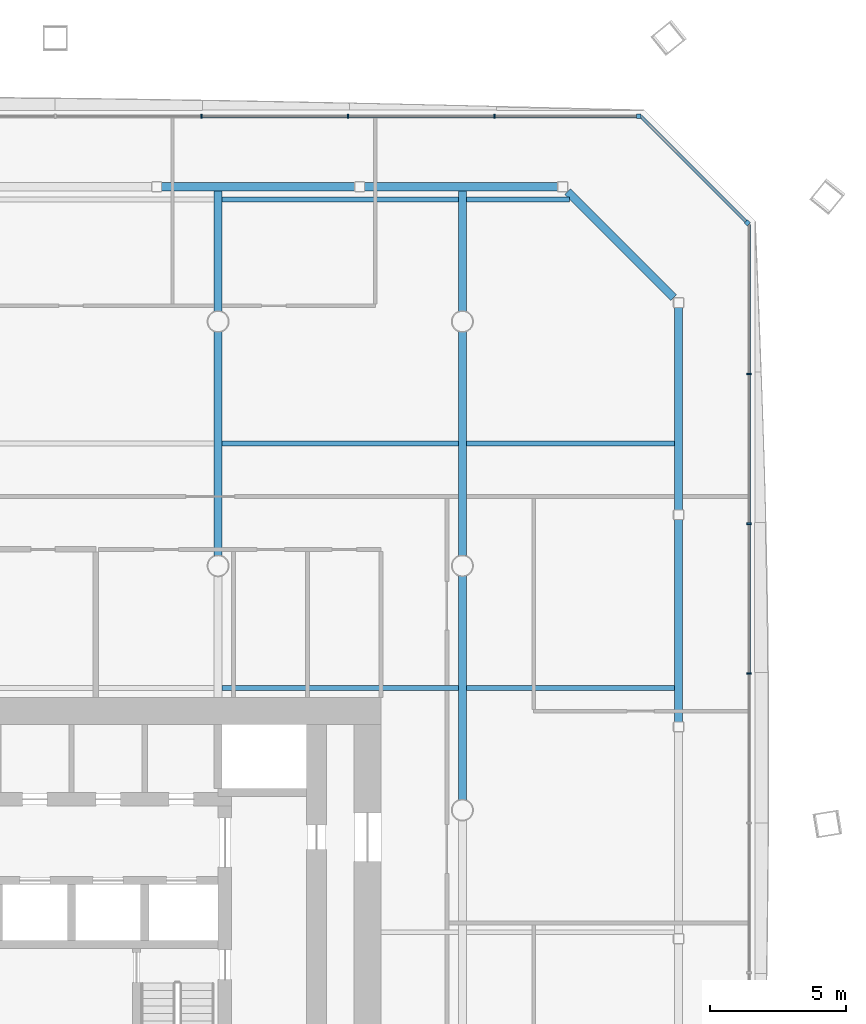
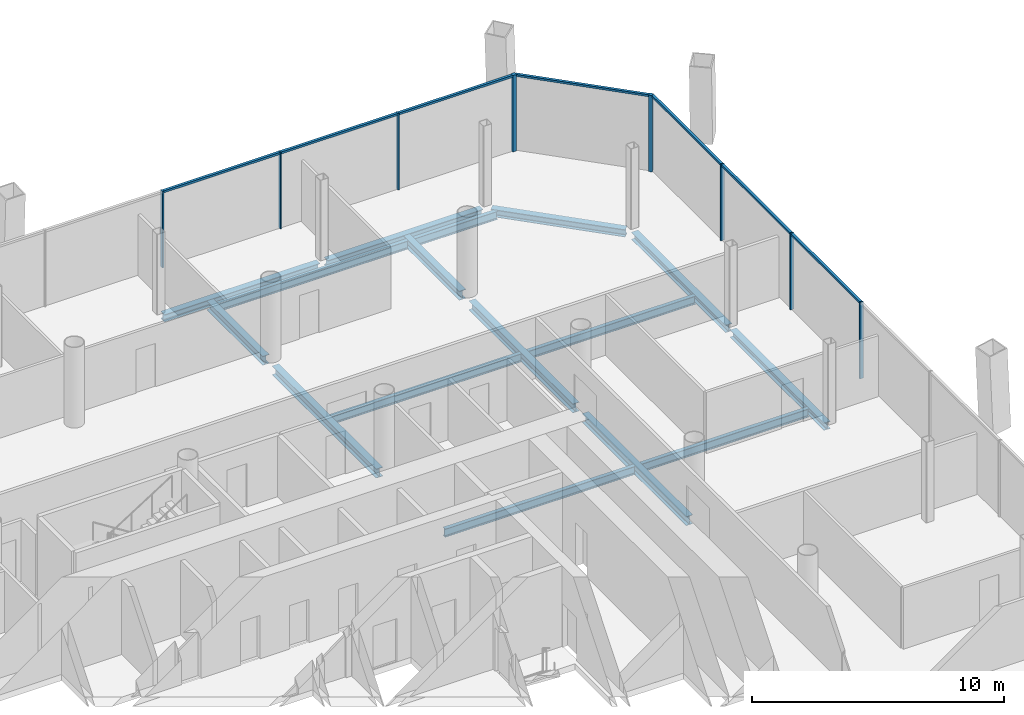
# One storey, part 10 of 20: 16 beams, 15 members, 3 elements without a shape of their own.
"""IFC4 building model written with IfcOpenShell, lengths in metres."""

from ifc_helpers import new_model, si_unit, direction, frame, origin, origin_2d, place, context, subcontext, project, spatial, rectangle, i_section, extrude, material, material_profile, profile_set, type_object, element, aggregate, save


model = new_model("IFC4")

# Units and contexts
model_context = context("Model", 3, precision=1e-05, world=origin(), true_north=direction((0.0, 1.0)))
body_context = subcontext(model_context, "Body", "Model", "MODEL_VIEW")
ifc_project = project(units=[si_unit("LENGTHUNIT", "METRE"), si_unit("AREAUNIT", "SQUARE_METRE"), si_unit("VOLUMEUNIT", "CUBIC_METRE"), si_unit("PLANEANGLEUNIT", "RADIAN"), si_unit("MASSUNIT", "GRAM", prefix="KILO")], contexts=[model_context])

# Site, building, storey
site_placement = place(None, origin())
site = spatial("IfcSite", under=ifc_project, at=site_placement, CompositionType="ELEMENT")
building_placement = place(site_placement, origin())
building = spatial("IfcBuilding", under=site, at=building_placement, Name="Tskaro Facet Tower", CompositionType="ELEMENT")
storey_placement = place(building_placement, frame((0.0, 0.0, 66.0)))
storey = spatial("IfcBuildingStorey", under=building, at=storey_placement, Name="L15", CompositionType="ELEMENT", Elevation=66.0)

# Curtain wall, member
ifc_material_1 = material(Name="Bronze anodised aluminium 6063-T6", Category="aluminium")
curtain_wall_type = type_object("IfcCurtainWallType", Name="Bronze office curtain wall (FW1)", PredefinedType="NOTDEFINED", material=ifc_material_1)
curtain_wall_1_placement = place(storey_placement, origin())
curtain_wall_1 = element("IfcCurtainWall", 1, at=curtain_wall_1_placement, inside=storey, type_object=curtain_wall_type, Name="FW1 north-east facet L15", PredefinedType="NOTDEFINED")
ifc_material_profile_1 = material_profile(ifc_material_1, rectangle(XDim=0.159912109375, YDim=0.159912109375, at=origin_2d()), Name="Corner post 160x160")
ifc_profile_set_1 = profile_set([ifc_material_profile_1], Name="Bronze anodised aluminium 6063-T6")
member_type_1 = type_object("IfcMemberType", Name="FW1 bronze corner post 160x160", PredefinedType="MULLION", material=ifc_profile_set_1)
member_1_placement = place(storey_placement, frame((28.50244140625, 21.630615234375, 0.0), z_axis=(0.0, 0.0, 1.0), x_axis=(-0.707106781187, 0.707106781187, 0.0)))
member_1 = element("IfcMember", 2, at=member_1_placement, type_object=member_type_1, Name="FW1 north-east corner post", PredefinedType="MULLION", context=body_context, shape_type="SweptSolid", body=[
    extrude(rectangle(XDim=0.159912109375, YDim=0.159912109375, at=origin_2d()), origin(), (0.0, 0.0, 1.0), 3.699951171875),
])

curtain_wall_2_placement = place(storey_placement, origin())
curtain_wall_2 = element("IfcCurtainWall", 3, at=curtain_wall_2_placement, inside=storey, type_object=curtain_wall_type, Name="FW1 north facet L15", PredefinedType="NOTDEFINED")
member_2_placement = place(storey_placement, frame((24.493896484375, 25.55908203125, 0.0), z_axis=(0.0, 0.0, 1.0), x_axis=(-1.0, 0.0, 0.0)))
member_2 = element("IfcMember", 4, at=member_2_placement, type_object=member_type_1, Name="FW1 north corner post", PredefinedType="MULLION", context=body_context, shape_type="SweptSolid", body=[
    extrude(rectangle(XDim=0.159912109375, YDim=0.159912109375, at=origin_2d()), origin(), (0.0, 0.0, 1.0), 3.699951171875),
])

# Curtain wall, members
curtain_wall_3_placement = place(storey_placement, origin())
curtain_wall_3 = element("IfcCurtainWall", 5, at=curtain_wall_3_placement, inside=storey, type_object=curtain_wall_type, Name="FW1 east facet L15", PredefinedType="NOTDEFINED")
ifc_material_profile_2 = material_profile(ifc_material_1, rectangle(XDim=0.06005859375, YDim=0.159912109375, at=origin_2d()), Name="Mullion 60x160")
ifc_profile_set_2 = profile_set([ifc_material_profile_2], Name="Bronze anodised aluminium 6063-T6")
member_type_2 = type_object("IfcMemberType", Name="FW1 bronze mullion 60x160", PredefinedType="MULLION", material=ifc_profile_set_2)
member_3_placement = place(storey_placement, frame((28.55908203125, 5.03466796875, 0.0), z_axis=(0.0, 0.0, 1.0), x_axis=(0.0, 1.0, 0.0)))
member_3 = element("IfcMember", 6, at=member_3_placement, type_object=member_type_2, Name="FW1 east mullion 5", PredefinedType="MULLION", context=body_context, shape_type="SweptSolid", body=[
    extrude(rectangle(XDim=0.06005859375, YDim=0.159912109375, at=origin_2d()), origin(), (0.0, 0.0, 1.0), 3.699951171875),
])
member_4_placement = place(storey_placement, frame((28.55908203125, 10.5478515625, 0.0), z_axis=(0.0, 0.0, 1.0), x_axis=(0.0, 1.0, 0.0)))
member_4 = element("IfcMember", 7, at=member_4_placement, type_object=member_type_2, Name="FW1 east mullion 6", PredefinedType="MULLION", context=body_context, shape_type="SweptSolid", body=[
    extrude(rectangle(XDim=0.06005859375, YDim=0.159912109375, at=origin_2d()), origin(), (0.0, 0.0, 1.0), 3.699951171875),
])
member_5_placement = place(storey_placement, frame((28.55908203125, 16.060791015625, 0.0), z_axis=(0.0, 0.0, 1.0), x_axis=(0.0, 1.0, 0.0)))
member_5 = element("IfcMember", 8, at=member_5_placement, type_object=member_type_2, Name="FW1 east mullion 7", PredefinedType="MULLION", context=body_context, shape_type="SweptSolid", body=[
    extrude(rectangle(XDim=0.06005859375, YDim=0.159912109375, at=origin_2d()), origin(), (0.0, 0.0, 1.0), 3.699951171875),
])

# Member
member_6_placement = place(storey_placement, frame((19.180419921875, 25.55908203125, 0.0), z_axis=(0.0, 0.0, 1.0), x_axis=(-1.0, 0.0, 0.0)))
member_6 = element("IfcMember", 9, at=member_6_placement, type_object=member_type_2, Name="FW1 north mullion 1", PredefinedType="MULLION", context=body_context, shape_type="SweptSolid", body=[
    extrude(rectangle(XDim=0.06005859375, YDim=0.159912109375, at=origin_2d()), origin(), (0.0, 0.0, 1.0), 3.699951171875),
])

member_7_placement = place(storey_placement, frame((13.787109375, 25.55908203125, 0.0), z_axis=(0.0, 0.0, 1.0), x_axis=(-1.0, 0.0, 0.0)))
member_7 = element("IfcMember", 10, at=member_7_placement, type_object=member_type_2, Name="FW1 north mullion 2", PredefinedType="MULLION", context=body_context, shape_type="SweptSolid", body=[
    extrude(rectangle(XDim=0.06005859375, YDim=0.159912109375, at=origin_2d()), origin(), (0.0, 0.0, 1.0), 3.699951171875),
])

member_8_placement = place(storey_placement, frame((8.3935546875, 25.55908203125, 0.0), z_axis=(0.0, 0.0, 1.0), x_axis=(-1.0, 0.0, 0.0)))
member_8 = element("IfcMember", 11, at=member_8_placement, type_object=member_type_2, Name="FW1 north mullion 3", PredefinedType="MULLION", context=body_context, shape_type="SweptSolid", body=[
    extrude(rectangle(XDim=0.06005859375, YDim=0.159912109375, at=origin_2d()), origin(), (0.0, 0.0, 1.0), 3.699951171875),
])

ifc_material_profile_3 = material_profile(ifc_material_1, rectangle(XDim=0.1201171875, YDim=0.10009765625, at=origin_2d()), Name="Transom 120x100")
ifc_profile_set_3 = profile_set([ifc_material_profile_3], Name="Bronze anodised aluminium 6063-T6")
member_type_3 = type_object("IfcMemberType", Name="FW1 bronze transom 120x100", PredefinedType="USERDEFINED", material=ifc_profile_set_3)
member_9_placement = place(storey_placement, frame((28.55908203125, 5.064697265625, 3.64990234375), z_axis=(0.0, 1.0, 0.0), x_axis=(-1.0, 0.0, 0.0)))
member_9 = element("IfcMember", 12, at=member_9_placement, type_object=member_type_3, Name="FW1 east transom 6.1", ObjectType="TRANSOM", PredefinedType="USERDEFINED", context=body_context, shape_type="SweptSolid", body=[
    extrude(rectangle(XDim=0.1201171875, YDim=0.10009765625, at=origin_2d()), origin(), (0.0, 0.0, 1.0), 5.453125),
])

member_10_placement = place(storey_placement, frame((28.55908203125, 10.57763671875, 3.64990234375), z_axis=(0.0, 1.0, 0.0), x_axis=(-1.0, 0.0, 0.0)))
member_10 = element("IfcMember", 13, at=member_10_placement, type_object=member_type_3, Name="FW1 east transom 7.1", ObjectType="TRANSOM", PredefinedType="USERDEFINED", context=body_context, shape_type="SweptSolid", body=[
    extrude(rectangle(XDim=0.1201171875, YDim=0.10009765625, at=origin_2d()), origin(), (0.0, 0.0, 1.0), 5.453125),
])

member_11_placement = place(storey_placement, frame((28.55908203125, 16.0908203125, 3.64990234375), z_axis=(0.0, 1.0, 0.0), x_axis=(-1.0, 0.0, 0.0)))
member_11 = element("IfcMember", 14, at=member_11_placement, type_object=member_type_3, Name="FW1 east transom 8.1", ObjectType="TRANSOM", PredefinedType="USERDEFINED", context=body_context, shape_type="SweptSolid", body=[
    extrude(rectangle(XDim=0.1201171875, YDim=0.10009765625, at=origin_2d()), origin(), (0.0, 0.0, 1.0), 5.483154296875),
])

aggregate(curtain_wall_3, [member_3, member_4, member_5, member_9, member_10, member_11])

member_12_placement = place(storey_placement, frame((28.44580078125, 21.687255859375, 3.64990234375), z_axis=(-0.707106781187, 0.707106781187, 0.0), x_axis=(-0.707106781187, -0.707106781187, 0.0)))
member_12 = element("IfcMember", 15, at=member_12_placement, type_object=member_type_3, Name="FW1 north-east transom 1.1", ObjectType="TRANSOM", PredefinedType="USERDEFINED", context=body_context, shape_type="SweptSolid", body=[
    extrude(rectangle(XDim=0.1201171875, YDim=0.10009765625, at=origin_2d()), origin(), (0.0, 0.0, 1.0), 5.4755859375),
])

aggregate(curtain_wall_1, [member_1, member_12])

member_13_placement = place(storey_placement, frame((24.4140625, 25.55908203125, 3.64990234375), z_axis=(-1.0, 0.0, 0.0), x_axis=(0.0, -1.0, 0.0)))
member_13 = element("IfcMember", 16, at=member_13_placement, type_object=member_type_3, Name="FW1 north transom 1.1", ObjectType="TRANSOM", PredefinedType="USERDEFINED", context=body_context, shape_type="SweptSolid", body=[
    extrude(rectangle(XDim=0.1201171875, YDim=0.10009765625, at=origin_2d()), origin(), (0.0, 0.0, 1.0), 5.20361328125),
])

member_14_placement = place(storey_placement, frame((19.150390625, 25.55908203125, 3.64990234375), z_axis=(-1.0, 0.0, 0.0), x_axis=(0.0, -1.0, 0.0)))
member_14 = element("IfcMember", 17, at=member_14_placement, type_object=member_type_3, Name="FW1 north transom 2.1", ObjectType="TRANSOM", PredefinedType="USERDEFINED", context=body_context, shape_type="SweptSolid", body=[
    extrude(rectangle(XDim=0.1201171875, YDim=0.10009765625, at=origin_2d()), origin(), (0.0, 0.0, 1.0), 5.33349609375),
])

member_15_placement = place(storey_placement, frame((13.757080078125, 25.55908203125, 3.64990234375), z_axis=(-1.0, 0.0, 0.0), x_axis=(0.0, -1.0, 0.0)))
member_15 = element("IfcMember", 18, at=member_15_placement, type_object=member_type_3, Name="FW1 north transom 3.1", ObjectType="TRANSOM", PredefinedType="USERDEFINED", context=body_context, shape_type="SweptSolid", body=[
    extrude(rectangle(XDim=0.1201171875, YDim=0.10009765625, at=origin_2d()), origin(), (0.0, 0.0, 1.0), 5.33349609375),
])

aggregate(curtain_wall_2, [member_2, member_6, member_7, member_8, member_13, member_14, member_15])

# Beams
ifc_material_2 = material(Name="Steel S355J2", Category="steel")
ifc_material_profile_4 = material_profile(ifc_material_2, i_section(OverallWidth=0.300048828125, OverallDepth=0.360107421875, WebThickness=0.012451171875, FlangeThickness=0.0224609375, FilletRadius=0.027099609375, at=origin_2d()), Name="HE 360 B")
ifc_profile_set_4 = profile_set([ifc_material_profile_4], Name="Steel S355J2")
beam_type_1 = type_object("IfcBeamType", Name="HE 360 B ring beam", PredefinedType="BEAM", material=ifc_profile_set_4)
for number, where, z_axis, x_axis, name in (
    (19, (25.965087890625, 3.248046875, -0.320068359375), (0.0, 1.0, 0.0), (-1.0, 0.0, 0.0), "HE 360 B EB10-2"),
    (20, (25.965087890625, 11.05908203125, -0.320068359375), (0.0, 1.0, 0.0), (-1.0, 0.0, 0.0), "HE 360 B EB11-2"),
):
    element("IfcBeam", number, at=place(storey_placement, frame(where, z_axis=z_axis, x_axis=x_axis)), inside=storey, type_object=beam_type_1, Name=name, PredefinedType="BEAM", context=body_context, shape_type="SweptSolid", body=[
        extrude(i_section(OverallWidth=0.300048828125, OverallDepth=0.360107421875, WebThickness=0.012451171875, FlangeThickness=0.0224609375, FilletRadius=0.027099609375, at=origin_2d()), origin(), (0.0, 0.0, 1.0), 7.450927734375),
    ])
beam_1_placement = place(storey_placement, frame((25.779052734375, 18.8759765625, -0.320068359375), z_axis=(-0.707106781187, 0.707106781187, 0.0), x_axis=(-0.707106781187, -0.707106781187, 0.0)))
element("IfcBeam", 21, at=beam_1_placement, inside=storey, type_object=beam_type_1, Name="HE 360 B EB12-2", PredefinedType="BEAM", context=body_context, shape_type="SweptSolid", body=[
    extrude(i_section(OverallWidth=0.300048828125, OverallDepth=0.360107421875, WebThickness=0.012451171875, FlangeThickness=0.0224609375, FilletRadius=0.027099609375, at=origin_2d()), origin(), (0.0, 0.0, 1.0), 5.519775390625),
])
for number, where, z_axis, x_axis, name in (
    (22, (21.510009765625, 22.965087890625, -0.320068359375), (-1.0, 0.0, 0.0), (0.0, -1.0, 0.0), "HE 360 B EB13-2"),
    (23, (14.033935546875, 22.965087890625, -0.320068359375), (-1.0, 0.0, 0.0), (0.0, -1.0, 0.0), "HE 360 B EB14-2"),
):
    element("IfcBeam", number, at=place(storey_placement, frame(where, z_axis=z_axis, x_axis=x_axis)), inside=storey, type_object=beam_type_1, Name=name, PredefinedType="BEAM", context=body_context, shape_type="SweptSolid", body=[
        extrude(i_section(OverallWidth=0.300048828125, OverallDepth=0.360107421875, WebThickness=0.012451171875, FlangeThickness=0.0224609375, FilletRadius=0.027099609375, at=origin_2d()), origin(), (0.0, 0.0, 1.0), 7.115966796875),
    ])
ifc_material_profile_5 = material_profile(ifc_material_2, i_section(OverallWidth=0.300048828125, OverallDepth=0.43994140625, WebThickness=0.011474609375, FlangeThickness=0.02099609375, FilletRadius=0.027099609375, at=origin_2d()), Name="HE 450 A")
ifc_profile_set_5 = profile_set([ifc_material_profile_5], Name="Steel S355J2")
beam_type_2 = type_object("IfcBeamType", Name="HE 450 A girder", PredefinedType="BEAM", material=ifc_profile_set_5)
beam_2_placement = place(storey_placement, frame((9.0, 9.37646484375, -0.360107421875), z_axis=(0.0, 1.0, 0.0), x_axis=(-1.0, 0.0, 0.0)))
element("IfcBeam", 24, at=beam_2_placement, inside=storey, type_object=beam_type_2, Name="HE 450 A GB5-4-2", PredefinedType="BEAM", context=body_context, shape_type="SweptSolid", body=[
    extrude(i_section(OverallWidth=0.300048828125, OverallDepth=0.43994140625, WebThickness=0.011474609375, FlangeThickness=0.02099609375, FilletRadius=0.027099609375, at=origin_2d()), origin(), (0.0, 0.0, 1.0), 8.2470703125),
])
beam_3_placement = place(storey_placement, frame((9.0, 18.37646484375, -0.360107421875), z_axis=(0.0, 1.0, 0.0), x_axis=(-1.0, 0.0, 0.0)))
element("IfcBeam", 25, at=beam_3_placement, inside=storey, type_object=beam_type_2, Name="HE 450 A GB5-5-2", PredefinedType="BEAM", context=body_context, shape_type="SweptSolid", body=[
    extrude(i_section(OverallWidth=0.300048828125, OverallDepth=0.43994140625, WebThickness=0.011474609375, FlangeThickness=0.02099609375, FilletRadius=0.027099609375, at=origin_2d()), origin(), (0.0, 0.0, 1.0), 4.4384765625),
])
for number, where, z_axis, x_axis, name in (
    (26, (18.0, 0.37646484375, -0.360107421875), (0.0, 1.0, 0.0), (-1.0, 0.0, 0.0), "HE 450 A GB6-4-2"),
    (27, (18.0, 9.37646484375, -0.360107421875), (0.0, 1.0, 0.0), (-1.0, 0.0, 0.0), "HE 450 A GB6-5-2"),
):
    element("IfcBeam", number, at=place(storey_placement, frame(where, z_axis=z_axis, x_axis=x_axis)), inside=storey, type_object=beam_type_2, Name=name, PredefinedType="BEAM", context=body_context, shape_type="SweptSolid", body=[
        extrude(i_section(OverallWidth=0.300048828125, OverallDepth=0.43994140625, WebThickness=0.011474609375, FlangeThickness=0.02099609375, FilletRadius=0.027099609375, at=origin_2d()), origin(), (0.0, 0.0, 1.0), 8.2470703125),
    ])
beam_4_placement = place(storey_placement, frame((18.0, 18.37646484375, -0.360107421875), z_axis=(0.0, 1.0, 0.0), x_axis=(-1.0, 0.0, 0.0)))
element("IfcBeam", 28, at=beam_4_placement, inside=storey, type_object=beam_type_2, Name="HE 450 A GB6-6-2", PredefinedType="BEAM", context=body_context, shape_type="SweptSolid", body=[
    extrude(i_section(OverallWidth=0.300048828125, OverallDepth=0.43994140625, WebThickness=0.011474609375, FlangeThickness=0.02099609375, FilletRadius=0.027099609375, at=origin_2d()), origin(), (0.0, 0.0, 1.0), 4.4384765625),
])
ifc_material_profile_6 = material_profile(ifc_material_2, i_section(OverallWidth=0.179931640625, OverallDepth=0.39990234375, WebThickness=0.008544921875, FlangeThickness=0.013427734375, FilletRadius=0.02099609375, at=origin_2d()), Name="IPE 400")
ifc_profile_set_6 = profile_set([ifc_material_profile_6], Name="Steel S355J2")
beam_type_3 = type_object("IfcBeamType", Name="IPE 400 secondary beam", PredefinedType="BEAM", material=ifc_profile_set_6)
beam_5_placement = place(storey_placement, frame((9.14990234375, 4.5, -0.340087890625), z_axis=(1.0, 0.0, 0.0), x_axis=(0.0, 1.0, 0.0)))
element("IfcBeam", 29, at=beam_5_placement, inside=storey, type_object=beam_type_3, Name="IPE 400 SB4a-4-2", PredefinedType="BEAM", context=body_context, shape_type="SweptSolid", body=[
    extrude(i_section(OverallWidth=0.179931640625, OverallDepth=0.39990234375, WebThickness=0.008544921875, FlangeThickness=0.013427734375, FilletRadius=0.02099609375, at=origin_2d()), origin(), (0.0, 0.0, 1.0), 8.7001953125),
])
beam_6_placement = place(storey_placement, frame((18.14990234375, 4.5, -0.340087890625), z_axis=(1.0, 0.0, 0.0), x_axis=(0.0, 1.0, 0.0)))
element("IfcBeam", 30, at=beam_6_placement, inside=storey, type_object=beam_type_3, Name="IPE 400 SB4a-5-2", PredefinedType="BEAM", context=body_context, shape_type="SweptSolid", body=[
    extrude(i_section(OverallWidth=0.179931640625, OverallDepth=0.39990234375, WebThickness=0.008544921875, FlangeThickness=0.013427734375, FilletRadius=0.02099609375, at=origin_2d()), origin(), (0.0, 0.0, 1.0), 7.6650390625),
])
beam_7_placement = place(storey_placement, frame((9.14990234375, 13.5, -0.340087890625), z_axis=(1.0, 0.0, 0.0), x_axis=(0.0, 1.0, 0.0)))
element("IfcBeam", 31, at=beam_7_placement, inside=storey, type_object=beam_type_3, Name="IPE 400 SB5a-4-2", PredefinedType="BEAM", context=body_context, shape_type="SweptSolid", body=[
    extrude(i_section(OverallWidth=0.179931640625, OverallDepth=0.39990234375, WebThickness=0.008544921875, FlangeThickness=0.013427734375, FilletRadius=0.02099609375, at=origin_2d()), origin(), (0.0, 0.0, 1.0), 8.7001953125),
])
beam_8_placement = place(storey_placement, frame((18.14990234375, 13.5, -0.340087890625), z_axis=(1.0, 0.0, 0.0), x_axis=(0.0, 1.0, 0.0)))
element("IfcBeam", 32, at=beam_8_placement, inside=storey, type_object=beam_type_3, Name="IPE 400 SB5a-5-2", PredefinedType="BEAM", context=body_context, shape_type="SweptSolid", body=[
    extrude(i_section(OverallWidth=0.179931640625, OverallDepth=0.39990234375, WebThickness=0.008544921875, FlangeThickness=0.013427734375, FilletRadius=0.02099609375, at=origin_2d()), origin(), (0.0, 0.0, 1.0), 7.6650390625),
])
beam_9_placement = place(storey_placement, frame((9.14990234375, 22.5, -0.340087890625), z_axis=(1.0, 0.0, 0.0), x_axis=(0.0, 1.0, 0.0)))
element("IfcBeam", 33, at=beam_9_placement, inside=storey, type_object=beam_type_3, Name="IPE 400 SB6a-4-2", PredefinedType="BEAM", context=body_context, shape_type="SweptSolid", body=[
    extrude(i_section(OverallWidth=0.179931640625, OverallDepth=0.39990234375, WebThickness=0.008544921875, FlangeThickness=0.013427734375, FilletRadius=0.02099609375, at=origin_2d()), origin(), (0.0, 0.0, 1.0), 8.7001953125),
])
beam_10_placement = place(storey_placement, frame((18.14990234375, 22.5, -0.340087890625), z_axis=(1.0, 0.0, 0.0), x_axis=(0.0, 1.0, 0.0)))
element("IfcBeam", 34, at=beam_10_placement, inside=storey, type_object=beam_type_3, Name="IPE 400 SB6a-5-2", PredefinedType="BEAM", context=body_context, shape_type="SweptSolid", body=[
    extrude(i_section(OverallWidth=0.179931640625, OverallDepth=0.39990234375, WebThickness=0.008544921875, FlangeThickness=0.013427734375, FilletRadius=0.02099609375, at=origin_2d()), origin(), (0.0, 0.0, 1.0), 3.793212890625),
])

save(model, "model.ifc")
